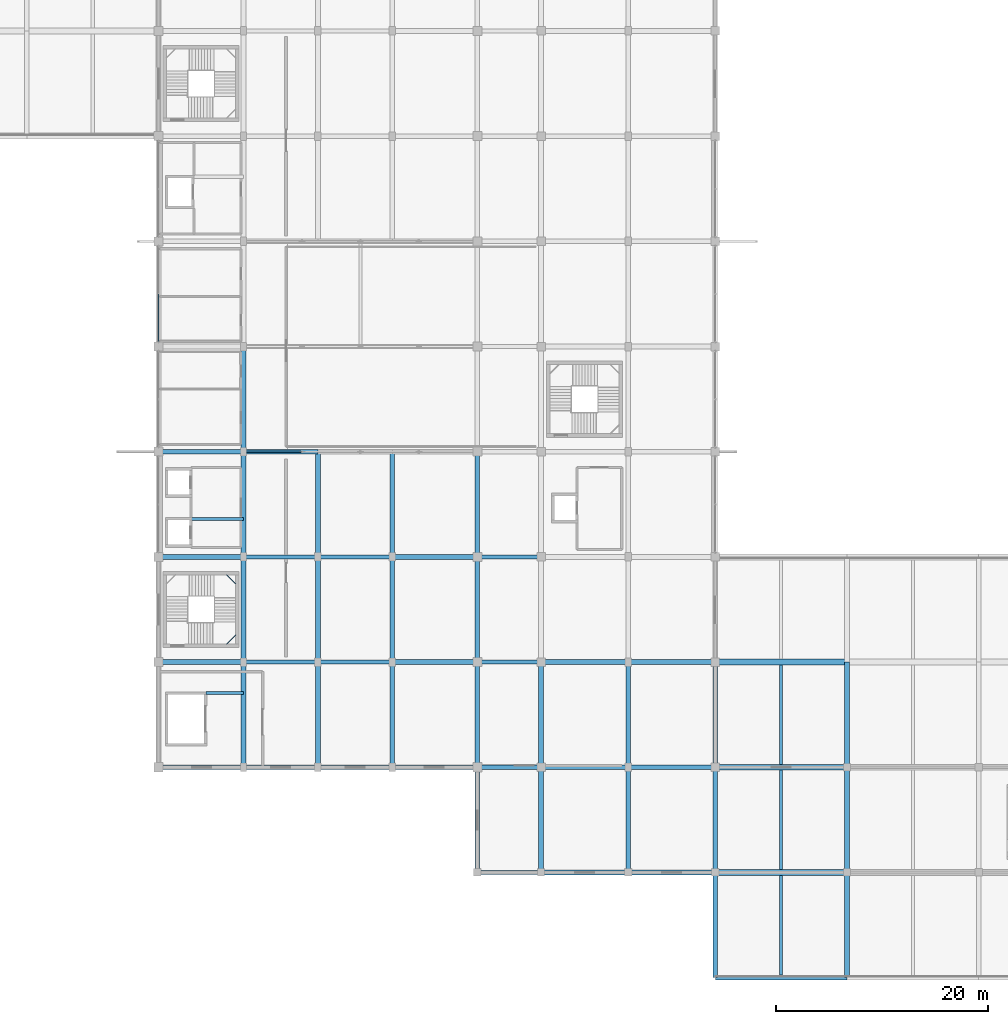
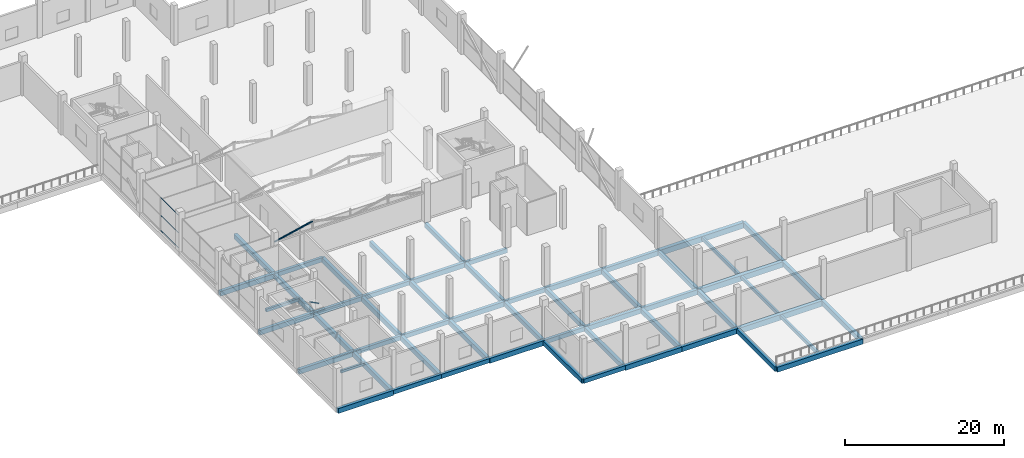
# One storey, part 5 of 46: 59 beams, 4 members, 1 element without a shape of its own.
"""IFC4 building model written with IfcOpenShell, lengths in metres."""

from ifc_helpers import new_model, si_unit, direction, frame, origin, origin_2d, place, context, subcontext, project, spatial, rectangle, hollow_rectangle, extrude, material, layer, layer_set, material_profile, profile_set, type_object, element, aggregate, save


model = new_model("IFC4")

# Units and contexts
model_context = context("Model", 3, precision=1e-05, world=origin(), true_north=direction((0.0, 1.0)))
body_context = subcontext(model_context, "Body", "Model", "MODEL_VIEW")
ifc_project = project(units=[si_unit("LENGTHUNIT", "METRE"), si_unit("AREAUNIT", "SQUARE_METRE"), si_unit("VOLUMEUNIT", "CUBIC_METRE"), si_unit("PLANEANGLEUNIT", "RADIAN"), si_unit("MASSUNIT", "GRAM", prefix="KILO")], contexts=[model_context])

# Site, building, storey
site_placement = place(None, origin())
site = spatial("IfcSite", under=ifc_project, at=site_placement, CompositionType="ELEMENT")
building_placement = place(site_placement, origin())
building = spatial("IfcBuilding", under=site, at=building_placement, Name="Sillaruma Civic Art Gallery", CompositionType="ELEMENT")
storey_placement = place(building_placement, frame((0.0, 0.0, 16.320068359375)))
storey = spatial("IfcBuildingStorey", under=building, at=storey_placement, Name="L03", CompositionType="ELEMENT", Elevation=16.320068359375)

# Beams
ifc_material_1 = material(Name="Concrete H35 (35 MPa)", Category="concrete")
ifc_material_profile_1 = material_profile(ifc_material_1, rectangle(XDim=0.39990234375, YDim=0.64990234375, at=origin_2d()), Name="RCB400x650")
ifc_profile_set_1 = profile_set([ifc_material_profile_1], Name="Concrete H35 (35 MPa)")
beam_type_1 = type_object("IfcBeamType", Name="BM-BEAM-RCB400x650", PredefinedType="BEAM", material=ifc_profile_set_1)
beam_1_placement = place(storey_placement, frame((92.0, 9.89990234375, -0.60498046875), z_axis=(1.0, 0.0, 0.0), x_axis=(0.0, 1.0, 0.0)))
element("IfcBeam", 1, at=beam_1_placement, inside=storey, type_object=beam_type_1, Name="Beam BM-05 (L02:2:K-L)", PredefinedType="BEAM", context=body_context, shape_type="SweptSolid", body=[
    extrude(rectangle(XDim=0.39990234375, YDim=0.64990234375, at=origin_2d()), origin(), (0.0, 0.0, 1.0), 6.0),
])
for number, where, z_axis, x_axis, name in (
    (2, (70.0, 19.800048828125, -0.60498046875), (1.0, 0.0, 0.0), (0.0, 1.0, 0.0), "Beam BM-05 (L02:3:G-H)"),
    (3, (77.0, 19.800048828125, -0.60498046875), (1.0, 0.0, 0.0), (0.0, 1.0, 0.0), "Beam BM-05 (L02:3:H-J)"),
):
    element("IfcBeam", number, at=place(storey_placement, frame(where, z_axis=z_axis, x_axis=x_axis)), inside=storey, type_object=beam_type_1, Name=name, PredefinedType="BEAM", context=body_context, shape_type="SweptSolid", body=[
        extrude(rectangle(XDim=0.39990234375, YDim=0.64990234375, at=origin_2d()), origin(), (0.0, 0.0, 1.0), 7.0),
    ])
beam_2_placement = place(storey_placement, frame((92.0, 19.800048828125, -0.60498046875), z_axis=(1.0, 0.0, 0.0), x_axis=(0.0, 1.0, 0.0)))
element("IfcBeam", 4, at=beam_2_placement, inside=storey, type_object=beam_type_1, Name="Beam BM-05 (L02:3:K-L)", PredefinedType="BEAM", context=body_context, shape_type="SweptSolid", body=[
    extrude(rectangle(XDim=0.39990234375, YDim=0.64990234375, at=origin_2d()), origin(), (0.0, 0.0, 1.0), 6.0),
])
for number, where, z_axis, x_axis, name in (
    (5, (70.0, 29.699951171875, -0.60498046875), (1.0, 0.0, 0.0), (0.0, 1.0, 0.0), "Beam BM-05 (L02:4:G-H)"),
    (6, (77.0, 29.699951171875, -0.60498046875), (1.0, 0.0, 0.0), (0.0, 1.0, 0.0), "Beam BM-05 (L02:4:H-J)"),
):
    element("IfcBeam", number, at=place(storey_placement, frame(where, z_axis=z_axis, x_axis=x_axis)), inside=storey, type_object=beam_type_1, Name=name, PredefinedType="BEAM", context=body_context, shape_type="SweptSolid", body=[
        extrude(rectangle(XDim=0.39990234375, YDim=0.64990234375, at=origin_2d()), origin(), (0.0, 0.0, 1.0), 7.0),
    ])
beam_3_placement = place(storey_placement, frame((92.0, 29.699951171875, -0.60498046875), z_axis=(1.0, 0.0, 0.0), x_axis=(0.0, 1.0, 0.0)))
element("IfcBeam", 7, at=beam_3_placement, inside=storey, type_object=beam_type_1, Name="Beam BM-05 (L02:4:K-L)", PredefinedType="BEAM", context=body_context, shape_type="SweptSolid", body=[
    extrude(rectangle(XDim=0.39990234375, YDim=0.64990234375, at=origin_2d()), origin(), (0.0, 0.0, 1.0), 6.0),
])
for number, where, z_axis, x_axis, name in (
    (8, (70.0, 39.60009765625, -0.60498046875), (1.0, 0.0, 0.0), (0.0, 1.0, 0.0), "Beam BM-05 (L02:5:G-H)"),
    (9, (77.0, 39.60009765625, -0.60498046875), (1.0, 0.0, 0.0), (0.0, 1.0, 0.0), "Beam BM-05 (L02:5:H-J)"),
):
    element("IfcBeam", number, at=place(storey_placement, frame(where, z_axis=z_axis, x_axis=x_axis)), inside=storey, type_object=beam_type_1, Name=name, PredefinedType="BEAM", context=body_context, shape_type="SweptSolid", body=[
        extrude(rectangle(XDim=0.39990234375, YDim=0.64990234375, at=origin_2d()), origin(), (0.0, 0.0, 1.0), 7.0),
    ])
beam_4_placement = place(storey_placement, frame((92.0, 39.60009765625, -0.60498046875), z_axis=(1.0, 0.0, 0.0), x_axis=(0.0, 1.0, 0.0)))
element("IfcBeam", 10, at=beam_4_placement, inside=storey, type_object=beam_type_1, Name="Beam BM-05 (L02:5:K-L)", PredefinedType="BEAM", context=body_context, shape_type="SweptSolid", body=[
    extrude(rectangle(XDim=0.39990234375, YDim=0.64990234375, at=origin_2d()), origin(), (0.0, 0.0, 1.0), 6.0),
])
beam_5_placement = place(storey_placement, frame((70.0, 49.5, -0.60498046875), z_axis=(1.0, 0.0, 0.0), x_axis=(0.0, 1.0, 0.0)))
element("IfcBeam", 11, at=beam_5_placement, inside=storey, type_object=beam_type_1, Name="Beam BM-05 (L02:6:G-H)", PredefinedType="BEAM", context=body_context, shape_type="SweptSolid", body=[
    extrude(rectangle(XDim=0.39990234375, YDim=0.64990234375, at=origin_2d()), origin(), (0.0, 0.0, 1.0), 7.0),
])
ifc_material_2 = material(Name="Concrete H40 (40 MPa)", Category="concrete")
ifc_material_profile_2 = material_profile(ifc_material_2, rectangle(XDim=0.449951171875, YDim=0.75, at=origin_2d()), Name="RCB450x750")
ifc_profile_set_2 = profile_set([ifc_material_profile_2], Name="Concrete H40 (40 MPa)")
beam_type_2 = type_object("IfcBeamType", Name="BM-BEAM-RCB450x750", PredefinedType="BEAM", material=ifc_profile_set_2)
for number, where, z_axis, x_axis, name in (
    (12, (98.0, 9.89990234375, -0.655029296875), (1.0, 0.0, 0.0), (0.0, 1.0, 0.0), "Beam BM-03 (L02:2:L-M)"),
    (13, (106.199951171875, 9.89990234375, -0.655029296875), (1.0, 0.0, 0.0), (0.0, 1.0, 0.0), "Beam BM-03 (L02:2:M-N)"),
):
    element("IfcBeam", number, at=place(storey_placement, frame(where, z_axis=z_axis, x_axis=x_axis)), inside=storey, type_object=beam_type_2, Name=name, PredefinedType="BEAM", context=body_context, shape_type="SweptSolid", body=[
        extrude(rectangle(XDim=0.449951171875, YDim=0.75, at=origin_2d()), origin(), (0.0, 0.0, 1.0), 8.199951171875),
    ])
for number, where, z_axis, x_axis, name in (
    (14, (62.0, 19.800048828125, -0.655029296875), (1.0, 0.0, 0.0), (0.0, 1.0, 0.0), "Beam BM-03 (L02:3:F-G)"),
    (15, (84.0, 19.800048828125, -0.655029296875), (1.0, 0.0, 0.0), (0.0, 1.0, 0.0), "Beam BM-03 (L02:3:J-K)"),
):
    element("IfcBeam", number, at=place(storey_placement, frame(where, z_axis=z_axis, x_axis=x_axis)), inside=storey, type_object=beam_type_2, Name=name, PredefinedType="BEAM", context=body_context, shape_type="SweptSolid", body=[
        extrude(rectangle(XDim=0.449951171875, YDim=0.75, at=origin_2d()), origin(), (0.0, 0.0, 1.0), 8.0),
    ])
for number, where, z_axis, x_axis, name in (
    (16, (98.0, 19.800048828125, -0.655029296875), (1.0, 0.0, 0.0), (0.0, 1.0, 0.0), "Beam BM-03 (L02:3:L-M)"),
    (17, (106.199951171875, 19.800048828125, -0.655029296875), (1.0, 0.0, 0.0), (0.0, 1.0, 0.0), "Beam BM-03 (L02:3:M-N)"),
):
    element("IfcBeam", number, at=place(storey_placement, frame(where, z_axis=z_axis, x_axis=x_axis)), inside=storey, type_object=beam_type_2, Name=name, PredefinedType="BEAM", context=body_context, shape_type="SweptSolid", body=[
        extrude(rectangle(XDim=0.449951171875, YDim=0.75, at=origin_2d()), origin(), (0.0, 0.0, 1.0), 8.199951171875),
    ])
for number, where, z_axis, x_axis, name in (
    (18, (62.0, 29.699951171875, -0.655029296875), (1.0, 0.0, 0.0), (0.0, 1.0, 0.0), "Beam BM-03 (L02:4:F-G)"),
    (19, (84.0, 29.699951171875, -0.655029296875), (1.0, 0.0, 0.0), (0.0, 1.0, 0.0), "Beam BM-03 (L02:4:J-K)"),
):
    element("IfcBeam", number, at=place(storey_placement, frame(where, z_axis=z_axis, x_axis=x_axis)), inside=storey, type_object=beam_type_2, Name=name, PredefinedType="BEAM", context=body_context, shape_type="SweptSolid", body=[
        extrude(rectangle(XDim=0.449951171875, YDim=0.75, at=origin_2d()), origin(), (0.0, 0.0, 1.0), 8.0),
    ])
for number, where, z_axis, x_axis, name in (
    (20, (98.0, 29.699951171875, -0.655029296875), (1.0, 0.0, 0.0), (0.0, 1.0, 0.0), "Beam BM-03 (L02:4:L-M)"),
    (21, (106.199951171875, 29.699951171875, -0.655029296875), (1.0, 0.0, 0.0), (0.0, 1.0, 0.0), "Beam BM-03 (L02:4:M-N)"),
):
    element("IfcBeam", number, at=place(storey_placement, frame(where, z_axis=z_axis, x_axis=x_axis)), inside=storey, type_object=beam_type_2, Name=name, PredefinedType="BEAM", context=body_context, shape_type="SweptSolid", body=[
        extrude(rectangle(XDim=0.449951171875, YDim=0.75, at=origin_2d()), origin(), (0.0, 0.0, 1.0), 8.199951171875),
    ])
for number, where, z_axis, x_axis, name in (
    (22, (62.0, 39.60009765625, -0.655029296875), (1.0, 0.0, 0.0), (0.0, 1.0, 0.0), "Beam BM-03 (L02:5:F-G)"),
    (23, (84.0, 39.60009765625, -0.655029296875), (1.0, 0.0, 0.0), (0.0, 1.0, 0.0), "Beam BM-03 (L02:5:J-K)"),
    (24, (62.0, 49.5, -0.655029296875), (1.0, 0.0, 0.0), (0.0, 1.0, 0.0), "Beam BM-03 (L02:6:F-G)"),
):
    element("IfcBeam", number, at=place(storey_placement, frame(where, z_axis=z_axis, x_axis=x_axis)), inside=storey, type_object=beam_type_2, Name=name, PredefinedType="BEAM", context=body_context, shape_type="SweptSolid", body=[
        extrude(rectangle(XDim=0.449951171875, YDim=0.75, at=origin_2d()), origin(), (0.0, 0.0, 1.0), 8.0),
    ])
beam_6_placement = place(storey_placement, frame((70.0, 19.800048828125, -0.655029296875), z_axis=(0.0, 1.0, 0.0), x_axis=(-1.0, 0.0, 0.0)))
element("IfcBeam", 25, at=beam_6_placement, inside=storey, type_object=beam_type_2, Name="Beam BM-03 (L02:G:3-4)", PredefinedType="BEAM", context=body_context, shape_type="SweptSolid", body=[
    extrude(rectangle(XDim=0.449951171875, YDim=0.75, at=origin_2d()), origin(), (0.0, 0.0, 1.0), 9.89990234375),
])
beam_7_placement = place(storey_placement, frame((70.0, 29.699951171875, -0.655029296875), z_axis=(0.0, 1.0, 0.0), x_axis=(-1.0, 0.0, 0.0)))
element("IfcBeam", 26, at=beam_7_placement, inside=storey, type_object=beam_type_2, Name="Beam BM-03 (L02:G:4-5)", PredefinedType="BEAM", context=body_context, shape_type="SweptSolid", body=[
    extrude(rectangle(XDim=0.449951171875, YDim=0.75, at=origin_2d()), origin(), (0.0, 0.0, 1.0), 9.900146484375),
])
for number, where, z_axis, x_axis, name in (
    (27, (70.0, 39.60009765625, -0.655029296875), (0.0, 1.0, 0.0), (-1.0, 0.0, 0.0), "Beam BM-03 (L02:G:5-6)"),
    (28, (70.0, 49.5, -0.655029296875), (0.0, 1.0, 0.0), (-1.0, 0.0, 0.0), "Beam BM-03 (L02:G:6-7)"),
    (29, (77.0, 19.800048828125, -0.655029296875), (0.0, 1.0, 0.0), (-1.0, 0.0, 0.0), "Beam BM-03 (L02:H:3-4)"),
):
    element("IfcBeam", number, at=place(storey_placement, frame(where, z_axis=z_axis, x_axis=x_axis)), inside=storey, type_object=beam_type_2, Name=name, PredefinedType="BEAM", context=body_context, shape_type="SweptSolid", body=[
        extrude(rectangle(XDim=0.449951171875, YDim=0.75, at=origin_2d()), origin(), (0.0, 0.0, 1.0), 9.89990234375),
    ])
beam_8_placement = place(storey_placement, frame((77.0, 29.699951171875, -0.655029296875), z_axis=(0.0, 1.0, 0.0), x_axis=(-1.0, 0.0, 0.0)))
element("IfcBeam", 30, at=beam_8_placement, inside=storey, type_object=beam_type_2, Name="Beam BM-03 (L02:H:4-5)", PredefinedType="BEAM", context=body_context, shape_type="SweptSolid", body=[
    extrude(rectangle(XDim=0.449951171875, YDim=0.75, at=origin_2d()), origin(), (0.0, 0.0, 1.0), 9.900146484375),
])
for number, where, z_axis, x_axis, name in (
    (31, (77.0, 39.60009765625, -0.655029296875), (0.0, 1.0, 0.0), (-1.0, 0.0, 0.0), "Beam BM-03 (L02:H:5-6)"),
    (32, (84.0, 19.800048828125, -0.655029296875), (0.0, 1.0, 0.0), (-1.0, 0.0, 0.0), "Beam BM-03 (L02:J:3-4)"),
):
    element("IfcBeam", number, at=place(storey_placement, frame(where, z_axis=z_axis, x_axis=x_axis)), inside=storey, type_object=beam_type_2, Name=name, PredefinedType="BEAM", context=body_context, shape_type="SweptSolid", body=[
        extrude(rectangle(XDim=0.449951171875, YDim=0.75, at=origin_2d()), origin(), (0.0, 0.0, 1.0), 9.89990234375),
    ])
beam_9_placement = place(storey_placement, frame((84.0, 29.699951171875, -0.655029296875), z_axis=(0.0, 1.0, 0.0), x_axis=(-1.0, 0.0, 0.0)))
element("IfcBeam", 33, at=beam_9_placement, inside=storey, type_object=beam_type_2, Name="Beam BM-03 (L02:J:4-5)", PredefinedType="BEAM", context=body_context, shape_type="SweptSolid", body=[
    extrude(rectangle(XDim=0.449951171875, YDim=0.75, at=origin_2d()), origin(), (0.0, 0.0, 1.0), 9.900146484375),
])
beam_10_placement = place(storey_placement, frame((84.0, 39.60009765625, -0.655029296875), z_axis=(0.0, 1.0, 0.0), x_axis=(-1.0, 0.0, 0.0)))
element("IfcBeam", 34, at=beam_10_placement, inside=storey, type_object=beam_type_2, Name="Beam BM-03 (L02:J:5-6)", PredefinedType="BEAM", context=body_context, shape_type="SweptSolid", body=[
    extrude(rectangle(XDim=0.449951171875, YDim=0.75, at=origin_2d()), origin(), (0.0, 0.0, 1.0), 9.89990234375),
])
beam_11_placement = place(storey_placement, frame((106.199951171875, 9.89990234375, -0.655029296875), z_axis=(0.0, 1.0, 0.0), x_axis=(-1.0, 0.0, 0.0)))
element("IfcBeam", 35, at=beam_11_placement, inside=storey, type_object=beam_type_2, Name="Beam BM-03 (L02:M:2-3)", PredefinedType="BEAM", context=body_context, shape_type="SweptSolid", body=[
    extrude(rectangle(XDim=0.449951171875, YDim=0.75, at=origin_2d()), origin(), (0.0, 0.0, 1.0), 9.900146484375),
])
for number, where, z_axis, x_axis, name in (
    (36, (106.199951171875, 19.800048828125, -0.655029296875), (0.0, 1.0, 0.0), (-1.0, 0.0, 0.0), "Beam BM-03 (L02:M:3-4)"),
    (37, (126.800048828125, 0.0, -0.655029296875), (0.0, 1.0, 0.0), (-1.0, 0.0, 0.0), "Beam BM-03 (L02:P:1-2)"),
):
    element("IfcBeam", number, at=place(storey_placement, frame(where, z_axis=z_axis, x_axis=x_axis)), inside=storey, type_object=beam_type_2, Name=name, PredefinedType="BEAM", context=body_context, shape_type="SweptSolid", body=[
        extrude(rectangle(XDim=0.449951171875, YDim=0.75, at=origin_2d()), origin(), (0.0, 0.0, 1.0), 9.89990234375),
    ])
beam_12_placement = place(storey_placement, frame((126.800048828125, 9.89990234375, -0.655029296875), z_axis=(0.0, 1.0, 0.0), x_axis=(-1.0, 0.0, 0.0)))
element("IfcBeam", 38, at=beam_12_placement, inside=storey, type_object=beam_type_2, Name="Beam BM-03 (L02:P:2-3)", PredefinedType="BEAM", context=body_context, shape_type="SweptSolid", body=[
    extrude(rectangle(XDim=0.449951171875, YDim=0.75, at=origin_2d()), origin(), (0.0, 0.0, 1.0), 9.900146484375),
])
beam_13_placement = place(storey_placement, frame((126.800048828125, 19.800048828125, -0.655029296875), z_axis=(0.0, 1.0, 0.0), x_axis=(-1.0, 0.0, 0.0)))
element("IfcBeam", 39, at=beam_13_placement, inside=storey, type_object=beam_type_2, Name="Beam BM-03 (L02:P:3-4)", PredefinedType="BEAM", context=body_context, shape_type="SweptSolid", body=[
    extrude(rectangle(XDim=0.449951171875, YDim=0.75, at=origin_2d()), origin(), (0.0, 0.0, 1.0), 9.89990234375),
])
ifc_material_profile_3 = material_profile(ifc_material_2, rectangle(XDim=0.550048828125, YDim=0.85009765625, at=origin_2d()), Name="RCB550x850")
ifc_profile_set_3 = profile_set([ifc_material_profile_3], Name="Concrete H40 (40 MPa)")
beam_type_3 = type_object("IfcBeamType", Name="BM-BEAM-RCB550x850", PredefinedType="BEAM", material=ifc_profile_set_3)
for number, where, z_axis, x_axis, name in (
    (40, (114.39990234375, 9.89990234375, -0.705078125), (1.0, 0.0, 0.0), (0.0, 1.0, 0.0), "Beam BM-01 (L02:2:N-P)"),
    (41, (114.39990234375, 19.800048828125, -0.705078125), (1.0, 0.0, 0.0), (0.0, 1.0, 0.0), "Beam BM-01 (L02:3:N-P)"),
    (42, (114.39990234375, 29.699951171875, -0.705078125), (1.0, 0.0, 0.0), (0.0, 1.0, 0.0), "Beam BM-01 (L02:4:N-P)"),
):
    element("IfcBeam", number, at=place(storey_placement, frame(where, z_axis=z_axis, x_axis=x_axis)), inside=storey, type_object=beam_type_3, Name=name, PredefinedType="BEAM", context=body_context, shape_type="SweptSolid", body=[
        extrude(rectangle(XDim=0.550048828125, YDim=0.85009765625, at=origin_2d()), origin(), (0.0, 0.0, 1.0), 12.400146484375),
    ])
ifc_material_profile_4 = material_profile(ifc_material_1, rectangle(XDim=0.300048828125, YDim=0.52001953125, at=origin_2d()), Name="RCB300x520")
ifc_profile_set_4 = profile_set([ifc_material_profile_4], Name="Concrete H35 (35 MPa)")
beam_type_4 = type_object("IfcBeamType", Name="BM-JOIST-RCB300x520", PredefinedType="JOIST", material=ifc_profile_set_4)
beam_14_placement = place(storey_placement, frame((120.60009765625, 0.22509765625, -0.5400390625), z_axis=(0.0, 1.0, 0.0), x_axis=(-1.0, 0.0, 0.0)))
element("IfcBeam", 43, at=beam_14_placement, inside=storey, type_object=beam_type_4, Name="Floor Joist JR-01 (L02:NP:1-2)", PredefinedType="JOIST", context=body_context, shape_type="SweptSolid", body=[
    extrude(rectangle(XDim=0.300048828125, YDim=0.52001953125, at=origin_2d()), origin(), (0.0, 0.0, 1.0), 9.39990234375),
])
beam_15_placement = place(storey_placement, frame((120.60009765625, 10.175048828125, -0.5400390625), z_axis=(0.0, 1.0, 0.0), x_axis=(-1.0, 0.0, 0.0)))
element("IfcBeam", 44, at=beam_15_placement, inside=storey, type_object=beam_type_4, Name="Floor Joist JR-01 (L02:NP:2-3)", PredefinedType="JOIST", context=body_context, shape_type="SweptSolid", body=[
    extrude(rectangle(XDim=0.300048828125, YDim=0.52001953125, at=origin_2d()), origin(), (0.0, 0.0, 1.0), 9.349853515625),
])
beam_16_placement = place(storey_placement, frame((120.60009765625, 20.074951171875, -0.5400390625), z_axis=(0.0, 1.0, 0.0), x_axis=(-1.0, 0.0, 0.0)))
element("IfcBeam", 45, at=beam_16_placement, inside=storey, type_object=beam_type_4, Name="Floor Joist JR-01 (L02:NP:3-4)", PredefinedType="JOIST", context=body_context, shape_type="SweptSolid", body=[
    extrude(rectangle(XDim=0.300048828125, YDim=0.52001953125, at=origin_2d()), origin(), (0.0, 0.0, 1.0), 9.35009765625),
])
ifc_material_profile_5 = material_profile(ifc_material_1, rectangle(XDim=0.260009765625, YDim=0.419921875, at=origin_2d()), Name="RCB260x420")
ifc_profile_set_5 = profile_set([ifc_material_profile_5], Name="Concrete H35 (35 MPa)")
beam_type_5 = type_object("IfcBeamType", Name="BM-LINTEL-RCB260x420", PredefinedType="LINTEL", material=ifc_profile_set_5)
beam_17_placement = place(storey_placement, frame((66.449951171875, 26.780029296875, -0.489990234375), z_axis=(1.0, 0.0, 0.0), x_axis=(0.0, 1.0, 0.0)))
element("IfcBeam", 46, at=beam_17_placement, inside=storey, type_object=beam_type_5, Name="Core Portal Coupling Lintel BL-02 (L02:GL1)", PredefinedType="LINTEL", context=body_context, shape_type="SweptSolid", body=[
    extrude(rectangle(XDim=0.260009765625, YDim=0.419921875, at=origin_2d()), origin(), (0.0, 0.0, 1.0), 3.550048828125),
])
ifc_material_profile_6 = material_profile(ifc_material_1, rectangle(XDim=0.300048828125, YDim=0.4599609375, at=origin_2d()), Name="RCB300x460")
ifc_profile_set_6 = profile_set([ifc_material_profile_6], Name="Concrete H35 (35 MPa)")
beam_type_6 = type_object("IfcBeamType", Name="BM-LINTEL-RCB300x460", PredefinedType="LINTEL", material=ifc_profile_set_6)
beam_18_placement = place(storey_placement, frame((65.050048828125, 43.179931640625, -0.510009765625), z_axis=(1.0, 0.0, 0.0), x_axis=(0.0, 1.0, 0.0)))
element("IfcBeam", 47, at=beam_18_placement, inside=storey, type_object=beam_type_6, Name="Core Portal Coupling Lintel BL-01 (L02:PL1)", PredefinedType="LINTEL", context=body_context, shape_type="SweptSolid", body=[
    extrude(rectangle(XDim=0.300048828125, YDim=0.4599609375, at=origin_2d()), origin(), (0.0, 0.0, 1.0), 4.949951171875),
])
ifc_material_3 = material(Name="Structural Steel ASTM A500 Gr.C", Category="steel")
ifc_material_profile_7 = material_profile(ifc_material_3, hollow_rectangle(XDim=0.080078125, YDim=0.159912109375, WallThickness=0.008056640625, InnerFilletRadius=0.008056640625, OuterFilletRadius=0.01611328125, at=origin_2d()), Name="HSS160x80x8")
ifc_profile_set_7 = profile_set([ifc_material_profile_7], Name="Structural Steel ASTM A500 Gr.C")
beam_type_7 = type_object("IfcBeamType", Name="BM-LND-HSS160", PredefinedType="BEAM", material=ifc_profile_set_7)
for number, where, z_axis, x_axis, name in (
    (48, (68.389892578125, 31.3701171875, 1.25), (0.707203758046, 0.707009791025, 0.0), (-0.707009791025, 0.707203758046, 0.0), "Stair Corner Landing Trimmer Beam (ST-03-L03-1)"),
    (49, (68.389892578125, 37.929931640625, 2.780029296875), (0.707203758046, -0.707009791025, 0.0), (0.707009791025, 0.707203758046, 0.0), "Stair Corner Landing Trimmer Beam (ST-03-L03-2)"),
):
    element("IfcBeam", number, at=place(storey_placement, frame(where, z_axis=z_axis, x_axis=x_axis)), inside=storey, type_object=beam_type_7, Name=name, PredefinedType="BEAM", context=body_context, shape_type="SweptSolid", body=[
        extrude(hollow_rectangle(XDim=0.080078125, YDim=0.159912109375, WallThickness=0.008056640625, InnerFilletRadius=0.008056640625, OuterFilletRadius=0.01611328125, at=origin_2d()), origin(), (0.0, 0.0, 1.0), 1.2587890625),
    ])
ifc_material_profile_8 = material_profile(ifc_material_1, rectangle(XDim=0.449951171875, YDim=0.699951171875, at=origin_2d()), Name="RCB450x700")
ifc_profile_set_8 = profile_set([ifc_material_profile_8], Name="Concrete H35 (35 MPa)")
beam_type_8 = type_object("IfcBeamType", Name="BM-SPANDREL-RCB450x700", PredefinedType="SPANDREL", material=ifc_profile_set_8)
beam_19_placement = place(storey_placement, frame((92.0, 9.89990234375, -0.630126953125), z_axis=(0.0, 1.0, 0.0), x_axis=(-1.0, 0.0, 0.0)))
element("IfcBeam", 50, at=beam_19_placement, inside=storey, type_object=beam_type_8, Name="Beam BS-03 (L02:K:2-3)", PredefinedType="SPANDREL", context=body_context, shape_type="SweptSolid", body=[
    extrude(rectangle(XDim=0.449951171875, YDim=0.699951171875, at=origin_2d()), origin(), (0.0, 0.0, 1.0), 9.900146484375),
])
beam_20_placement = place(storey_placement, frame((92.0, 19.800048828125, -0.630126953125), z_axis=(0.0, 1.0, 0.0), x_axis=(-1.0, 0.0, 0.0)))
element("IfcBeam", 51, at=beam_20_placement, inside=storey, type_object=beam_type_8, Name="Beam BS-03 (L02:K:3-4)", PredefinedType="SPANDREL", context=body_context, shape_type="SweptSolid", body=[
    extrude(rectangle(XDim=0.449951171875, YDim=0.699951171875, at=origin_2d()), origin(), (0.0, 0.0, 1.0), 9.89990234375),
])
beam_21_placement = place(storey_placement, frame((92.0, 29.699951171875, -0.630126953125), z_axis=(0.0, 1.0, 0.0), x_axis=(-1.0, 0.0, 0.0)))
element("IfcBeam", 52, at=beam_21_placement, inside=storey, type_object=beam_type_8, Name="Beam BS-03 (L02:K:4-5)", PredefinedType="SPANDREL", context=body_context, shape_type="SweptSolid", body=[
    extrude(rectangle(XDim=0.449951171875, YDim=0.699951171875, at=origin_2d()), origin(), (0.0, 0.0, 1.0), 9.900146484375),
])
beam_22_placement = place(storey_placement, frame((92.0, 39.60009765625, -0.630126953125), z_axis=(0.0, 1.0, 0.0), x_axis=(-1.0, 0.0, 0.0)))
element("IfcBeam", 53, at=beam_22_placement, inside=storey, type_object=beam_type_8, Name="Beam BS-03 (L02:K:5-6)", PredefinedType="SPANDREL", context=body_context, shape_type="SweptSolid", body=[
    extrude(rectangle(XDim=0.449951171875, YDim=0.699951171875, at=origin_2d()), origin(), (0.0, 0.0, 1.0), 9.89990234375),
])
beam_23_placement = place(storey_placement, frame((98.0, 9.89990234375, -0.630126953125), z_axis=(0.0, 1.0, 0.0), x_axis=(-1.0, 0.0, 0.0)))
element("IfcBeam", 54, at=beam_23_placement, inside=storey, type_object=beam_type_8, Name="Beam BS-03 (L02:L:2-3)", PredefinedType="SPANDREL", context=body_context, shape_type="SweptSolid", body=[
    extrude(rectangle(XDim=0.449951171875, YDim=0.699951171875, at=origin_2d()), origin(), (0.0, 0.0, 1.0), 9.900146484375),
])
for number, where, z_axis, x_axis, name in (
    (55, (98.0, 19.800048828125, -0.630126953125), (0.0, 1.0, 0.0), (-1.0, 0.0, 0.0), "Beam BS-03 (L02:L:3-4)"),
    (56, (114.39990234375, 0.0, -0.630126953125), (0.0, 1.0, 0.0), (-1.0, 0.0, 0.0), "Beam BS-03 (L02:N:1-2)"),
):
    element("IfcBeam", number, at=place(storey_placement, frame(where, z_axis=z_axis, x_axis=x_axis)), inside=storey, type_object=beam_type_8, Name=name, PredefinedType="SPANDREL", context=body_context, shape_type="SweptSolid", body=[
        extrude(rectangle(XDim=0.449951171875, YDim=0.699951171875, at=origin_2d()), origin(), (0.0, 0.0, 1.0), 9.89990234375),
    ])
beam_24_placement = place(storey_placement, frame((114.39990234375, 9.89990234375, -0.630126953125), z_axis=(0.0, 1.0, 0.0), x_axis=(-1.0, 0.0, 0.0)))
element("IfcBeam", 57, at=beam_24_placement, inside=storey, type_object=beam_type_8, Name="Beam BS-03 (L02:N:2-3)", PredefinedType="SPANDREL", context=body_context, shape_type="SweptSolid", body=[
    extrude(rectangle(XDim=0.449951171875, YDim=0.699951171875, at=origin_2d()), origin(), (0.0, 0.0, 1.0), 9.900146484375),
])
beam_25_placement = place(storey_placement, frame((114.39990234375, 19.800048828125, -0.630126953125), z_axis=(0.0, 1.0, 0.0), x_axis=(-1.0, 0.0, 0.0)))
element("IfcBeam", 58, at=beam_25_placement, inside=storey, type_object=beam_type_8, Name="Beam BS-03 (L02:N:3-4)", PredefinedType="SPANDREL", context=body_context, shape_type="SweptSolid", body=[
    extrude(rectangle(XDim=0.449951171875, YDim=0.699951171875, at=origin_2d()), origin(), (0.0, 0.0, 1.0), 9.89990234375),
])
ifc_material_profile_9 = material_profile(ifc_material_2, rectangle(XDim=0.449951171875, YDim=0.75, at=origin_2d()), Name="RCB450x750")
ifc_profile_set_9 = profile_set([ifc_material_profile_9], Name="Concrete H40 (40 MPa)")
beam_type_9 = type_object("IfcBeamType", Name="BM-SPANDREL-RCB450x750", PredefinedType="SPANDREL", material=ifc_profile_set_9)
beam_26_placement = place(storey_placement, frame((114.39990234375, 0.0, -0.655029296875), z_axis=(1.0, 0.0, 0.0), x_axis=(0.0, 1.0, 0.0)))
element("IfcBeam", 59, at=beam_26_placement, inside=storey, type_object=beam_type_9, Name="Beam BS-01 (L02:1:N-P)", PredefinedType="SPANDREL", context=body_context, shape_type="SweptSolid", body=[
    extrude(rectangle(XDim=0.449951171875, YDim=0.75, at=origin_2d()), origin(), (0.0, 0.0, 1.0), 12.400146484375),
])

# Member
ifc_material_profile_10 = material_profile(ifc_material_3, hollow_rectangle(XDim=0.179931640625, YDim=0.179931640625, WallThickness=0.010009765625, InnerFilletRadius=0.010009765625, OuterFilletRadius=0.02001953125, at=origin_2d()), Name="HSS180x180x10")
ifc_profile_set_10 = profile_set([ifc_material_profile_10], Name="Structural Steel ASTM A500 Gr.C")
member_type_1 = type_object("IfcMemberType", Name="MEM-BRACE-HSS180x180x10", PredefinedType="BRACE", material=ifc_profile_set_10)
member_1_placement = place(storey_placement, frame((70.0, 49.5, 4.434814453125), z_axis=(0.975552224414, 0.0, 0.219767735214), x_axis=(0.0, 1.0, 0.0)))
element("IfcMember", 60, at=member_1_placement, inside=storey, type_object=member_type_1, Name="Warren Truss Diagonal TR-L03-1-D1", PredefinedType="BRACE", context=body_context, shape_type="SweptSolid", body=[
    extrude(hollow_rectangle(XDim=0.179931640625, YDim=0.179931640625, WallThickness=0.010009765625, InnerFilletRadius=0.010009765625, OuterFilletRadius=0.02001953125, at=origin_2d()), origin(), (0.0, 0.0, 1.0), 5.637939453125),
])

# Curtain wall, members
ifc_material_4 = material(Name="Thermally Broken Extruded Aluminium 6063-T6", Category="aluminium")
ifc_layer = layer(ifc_material_4, 0.159912109375, Name="Thermally Broken Extruded Aluminium 6063-T6")
ifc_layer_set = layer_set([ifc_layer], Name="Thermally Broken Extruded Aluminium 6063-T6")
curtain_wall_type = type_object("IfcCurtainWallType", Name="CW-UNI-23", PredefinedType="NOTDEFINED", material=ifc_layer_set)
curtain_wall_placement = place(storey_placement, origin())
curtain_wall = element("IfcCurtainWall", 61, at=curtain_wall_placement, inside=storey, type_object=curtain_wall_type, Name="Unitised Curtain Wall CW-23 (CW-L03-W-5)", PredefinedType="NOTDEFINED")
ifc_material_profile_11 = material_profile(ifc_material_4, hollow_rectangle(XDim=0.06005859375, YDim=0.10009765625, WallThickness=0.003173828125, at=origin_2d()), Name="CWT60x100")
ifc_profile_set_11 = profile_set([ifc_material_profile_11], Name="Thermally Broken Extruded Aluminium 6063-T6")
member_type_2 = type_object("IfcMemberType", Name="MEM-TRN-CWT60x100", PredefinedType="USERDEFINED", material=ifc_profile_set_11)
member_2_placement = place(storey_placement, frame((62.0, 59.889892578125, 0.030029296875), z_axis=(0.0, 1.0, 0.0), x_axis=(-1.0, 0.0, 0.0)))
member_2 = element("IfcMember", 62, at=member_2_placement, type_object=member_type_2, Name="CW-23 transom 1.1", ObjectType="TRANSOM", PredefinedType="USERDEFINED", context=body_context, shape_type="SweptSolid", body=[
    extrude(hollow_rectangle(XDim=0.06005859375, YDim=0.10009765625, WallThickness=0.003173828125, at=origin_2d()), origin(), (0.0, 0.0, 1.0), 4.427490234375),
])
member_3_placement = place(storey_placement, frame((62.0, 59.889892578125, 2.336669921875), z_axis=(0.0, 1.0, 0.0), x_axis=(-1.0, 0.0, 0.0)))
member_3 = element("IfcMember", 63, at=member_3_placement, type_object=member_type_2, Name="CW-23 transom 1.2", ObjectType="TRANSOM", PredefinedType="USERDEFINED", context=body_context, shape_type="SweptSolid", body=[
    extrude(hollow_rectangle(XDim=0.06005859375, YDim=0.10009765625, WallThickness=0.003173828125, at=origin_2d()), origin(), (0.0, 0.0, 1.0), 4.427490234375),
])
member_4_placement = place(storey_placement, frame((62.0, 59.889892578125, 5.050048828125), z_axis=(0.0, 1.0, 0.0), x_axis=(-1.0, 0.0, 0.0)))
member_4 = element("IfcMember", 64, at=member_4_placement, type_object=member_type_2, Name="CW-23 transom 1.3", ObjectType="TRANSOM", PredefinedType="USERDEFINED", context=body_context, shape_type="SweptSolid", body=[
    extrude(hollow_rectangle(XDim=0.06005859375, YDim=0.10009765625, WallThickness=0.003173828125, at=origin_2d()), origin(), (0.0, 0.0, 1.0), 4.427490234375),
])
aggregate(curtain_wall, [member_2, member_3, member_4])

save(model, "model.ifc")
